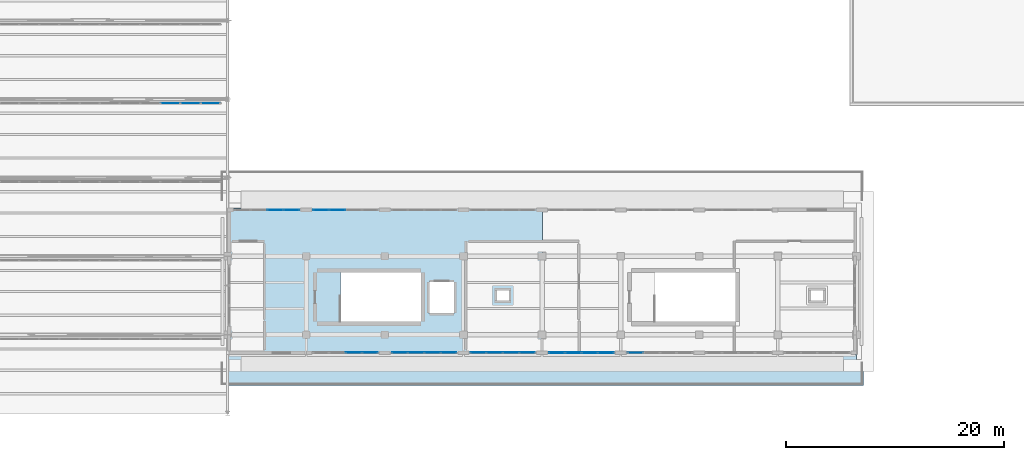
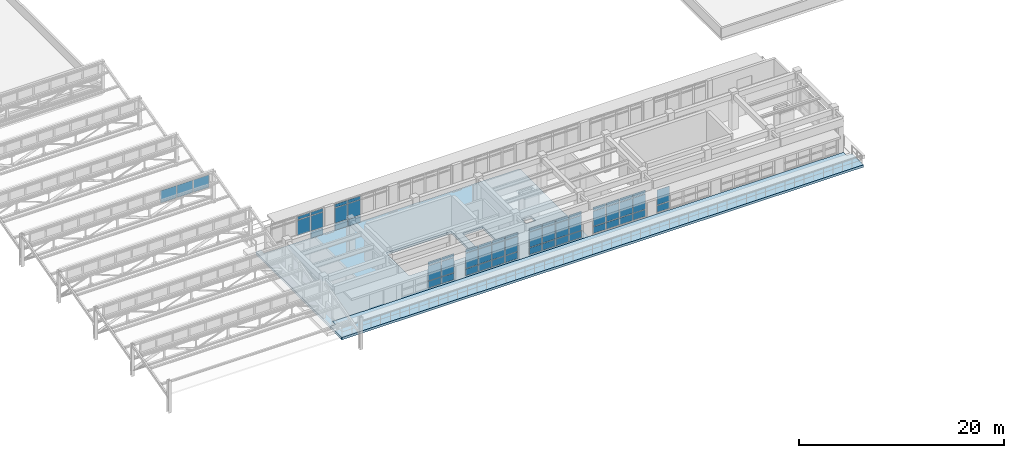
# One storey, part 34 of 55: 58 plates, 2 slabs, 8 elements without a shape of their own.
"""IFC4 building model written with IfcOpenShell, lengths in metres."""

from ifc_helpers import new_model, si_unit, direction, frame, origin, origin_2d, place, context, subcontext, project, spatial, polyline, rectangle, outline, extrude, material, layer, layer_set, type_object, element, aggregate, save


model = new_model("IFC4")

# Units and contexts
model_context = context("Model", 3, precision=1e-05, world=origin(), true_north=direction((0.0, 1.0)))
body_context = subcontext(model_context, "Body", "Model", "MODEL_VIEW")
ifc_project = project(units=[si_unit("LENGTHUNIT", "METRE"), si_unit("AREAUNIT", "SQUARE_METRE"), si_unit("VOLUMEUNIT", "CUBIC_METRE"), si_unit("PLANEANGLEUNIT", "RADIAN"), si_unit("MASSUNIT", "GRAM", prefix="KILO")], contexts=[model_context])

# Site, building, storey
site_placement = place(None, origin())
site = spatial("IfcSite", under=ifc_project, at=site_placement, CompositionType="ELEMENT")
building_placement = place(site_placement, origin())
building = spatial("IfcBuilding", under=site, at=building_placement, Name="Solenvale Faculty of Natural Sciences", CompositionType="ELEMENT")
storey_placement = place(building_placement, frame((0.0, 0.0, 22.5)))
storey = spatial("IfcBuildingStorey", under=building, at=storey_placement, Name="L05", CompositionType="ELEMENT", Elevation=22.5)

# Curtain wall, plates
ifc_material_1 = material(Name="Anodised bronze aluminium", Category="aluminium")
ifc_layer_1 = layer(ifc_material_1, 0.1650390625)
ifc_layer_set_1 = layer_set([ifc_layer_1], Name="Anodised bronze aluminium")
curtain_wall_type_1 = type_object("IfcCurtainWallType", Name="CW-SAW-CLR", PredefinedType="USERDEFINED", material=ifc_layer_set_1)
curtain_wall_1_placement = place(storey_placement, origin())
curtain_wall_1 = element("IfcCurtainWall", 1, at=curtain_wall_1_placement, inside=storey, type_object=curtain_wall_type_1, Name="L05 Curtain Wall SAW-V3-CW-4-1", ObjectType="NORTH LIGHT CLERESTORY", PredefinedType="USERDEFINED")
ifc_material_2 = material(Name="North-light skylight glass", Category="glass")
ifc_layer_2 = layer(ifc_material_2, 0.028076171875)
ifc_layer_set_2 = layer_set([ifc_layer_2], Name="North-light skylight glass")
plate_type_1 = type_object("IfcPlateType", Name="CWP-PNL-28", PredefinedType="CURTAIN_PANEL", material=ifc_layer_set_2)
plate_1_placement = place(storey_placement, frame((56.02001953125, 42.820068359375, 2.294921875), z_axis=(0.0, 0.0, 1.0), x_axis=(-1.0, 0.0, 0.0)))
plate_1 = element("IfcPlate", 2, at=plate_1_placement, type_object=plate_type_1, Name="CW-05 panel 1.1", PredefinedType="CURTAIN_PANEL", context=body_context, shape_type="SweptSolid", body=[
    extrude(rectangle(XDim=1.749755859375, YDim=0.028076171875, at=origin_2d()), origin(), (0.0, 0.0, 1.0), 1.47998046875),
])
plate_2_placement = place(storey_placement, frame((54.189208984375, 42.820068359375, 2.294921875), z_axis=(0.0, 0.0, 1.0), x_axis=(-1.0, 0.0, 0.0)))
plate_2 = element("IfcPlate", 3, at=plate_2_placement, type_object=plate_type_1, Name="CW-05 panel 2.1", PredefinedType="CURTAIN_PANEL", context=body_context, shape_type="SweptSolid", body=[
    extrude(rectangle(XDim=1.7822265625, YDim=0.028076171875, at=origin_2d()), origin(), (0.0, 0.0, 1.0), 1.47998046875),
])
plate_3_placement = place(storey_placement, frame((52.341796875, 42.820068359375, 2.294921875), z_axis=(0.0, 0.0, 1.0), x_axis=(-1.0, 0.0, 0.0)))
plate_3 = element("IfcPlate", 4, at=plate_3_placement, type_object=plate_type_1, Name="CW-05 panel 3.1", PredefinedType="CURTAIN_PANEL", context=body_context, shape_type="SweptSolid", body=[
    extrude(rectangle(XDim=1.7822265625, YDim=0.028076171875, at=origin_2d()), origin(), (0.0, 0.0, 1.0), 1.47998046875),
])
aggregate(curtain_wall_1, [plate_1, plate_2, plate_3])

ifc_layer_3 = layer(ifc_material_1, 0.18994140625)
ifc_layer_set_3 = layer_set([ifc_layer_3], Name="Anodised bronze aluminium")
curtain_wall_type_2 = type_object("IfcCurtainWallType", Name="CW-TRAY-REC", PredefinedType="USERDEFINED", material=ifc_layer_set_3)
curtain_wall_2_placement = place(storey_placement, origin())
curtain_wall_2 = element("IfcCurtainWall", 5, at=curtain_wall_2_placement, inside=storey, type_object=curtain_wall_type_2, Name="L05 Curtain Wall CW-L05-P1-E2-B8", ObjectType="UNITISED CURTAIN WALL", PredefinedType="USERDEFINED")
plate_4_placement = place(storey_placement, frame((63.4462890625, 33.03759765625, 0.074951171875), z_axis=(0.0, 0.0, 1.0), x_axis=(-1.0, 0.0, 0.0)))
plate_4 = element("IfcPlate", 6, at=plate_4_placement, type_object=plate_type_1, Name="CW-02 panel 1.1", PredefinedType="CURTAIN_PANEL", context=body_context, shape_type="SweptSolid", body=[
    extrude(rectangle(XDim=1.3974609375, YDim=0.028076171875, at=origin_2d()), origin(), (0.0, 0.0, 1.0), 0.78759765625),
])
plate_5_placement = place(storey_placement, frame((63.4462890625, 33.03759765625, 0.9375), z_axis=(0.0, 0.0, 1.0), x_axis=(-1.0, 0.0, 0.0)))
plate_5 = element("IfcPlate", 7, at=plate_5_placement, type_object=plate_type_1, Name="CW-02 panel 1.2", PredefinedType="CURTAIN_PANEL", context=body_context, shape_type="SweptSolid", body=[
    extrude(rectangle(XDim=1.3974609375, YDim=0.028076171875, at=origin_2d()), origin(), (0.0, 0.0, 1.0), 1.784912109375),
])
plate_6_placement = place(storey_placement, frame((63.4462890625, 33.03759765625, 2.79736328125), z_axis=(0.0, 0.0, 1.0), x_axis=(-1.0, 0.0, 0.0)))
plate_6 = element("IfcPlate", 8, at=plate_6_placement, type_object=plate_type_1, Name="CW-02 panel 1.3", PredefinedType="CURTAIN_PANEL", context=body_context, shape_type="SweptSolid", body=[
    extrude(rectangle(XDim=1.3974609375, YDim=0.028076171875, at=origin_2d()), origin(), (0.0, 0.0, 1.0), 0.387451171875),
])
plate_7_placement = place(storey_placement, frame((61.955078125, 33.03759765625, 0.9375), z_axis=(0.0, 0.0, 1.0), x_axis=(-1.0, 0.0, 0.0)))
plate_7 = element("IfcPlate", 9, at=plate_7_placement, type_object=plate_type_1, Name="CW-02 panel 2.2", PredefinedType="CURTAIN_PANEL", context=body_context, shape_type="SweptSolid", body=[
    extrude(rectangle(XDim=1.43505859375, YDim=0.028076171875, at=origin_2d()), origin(), (0.0, 0.0, 1.0), 1.784912109375),
])
plate_8_placement = place(storey_placement, frame((61.955078125, 33.03759765625, 2.79736328125), z_axis=(0.0, 0.0, 1.0), x_axis=(-1.0, 0.0, 0.0)))
plate_8 = element("IfcPlate", 10, at=plate_8_placement, type_object=plate_type_1, Name="CW-02 panel 2.3", PredefinedType="CURTAIN_PANEL", context=body_context, shape_type="SweptSolid", body=[
    extrude(rectangle(XDim=1.43505859375, YDim=0.028076171875, at=origin_2d()), origin(), (0.0, 0.0, 1.0), 0.387451171875),
])
aggregate(curtain_wall_2, [plate_4, plate_5, plate_6, plate_7, plate_8])

curtain_wall_3_placement = place(storey_placement, origin())
curtain_wall_3 = element("IfcCurtainWall", 11, at=curtain_wall_3_placement, inside=storey, type_object=curtain_wall_type_2, Name="L05 Curtain Wall CW-L05-P1-E4-B6", ObjectType="UNITISED CURTAIN WALL", PredefinedType="USERDEFINED")
plate_9_placement = place(storey_placement, frame((94.953857421875, 19.96240234375, 0.074951171875), z_axis=(0.0, 0.0, 1.0), x_axis=(1.0, 0.0, 0.0)))
plate_9 = element("IfcPlate", 12, at=plate_9_placement, type_object=plate_type_1, Name="CW-02 panel 1.1", PredefinedType="CURTAIN_PANEL", context=body_context, shape_type="SweptSolid", body=[
    extrude(rectangle(XDim=1.3974609375, YDim=0.028076171875, at=origin_2d()), origin(), (0.0, 0.0, 1.0), 0.78759765625),
])
plate_10_placement = place(storey_placement, frame((94.953857421875, 19.96240234375, 0.9375), z_axis=(0.0, 0.0, 1.0), x_axis=(1.0, 0.0, 0.0)))
plate_10 = element("IfcPlate", 13, at=plate_10_placement, type_object=plate_type_1, Name="CW-02 panel 1.2", PredefinedType="CURTAIN_PANEL", context=body_context, shape_type="SweptSolid", body=[
    extrude(rectangle(XDim=1.3974609375, YDim=0.028076171875, at=origin_2d()), origin(), (0.0, 0.0, 1.0), 1.784912109375),
])
aggregate(curtain_wall_3, [plate_9, plate_10])

curtain_wall_4_placement = place(storey_placement, origin())
curtain_wall_4 = element("IfcCurtainWall", 14, at=curtain_wall_4_placement, inside=storey, type_object=curtain_wall_type_2, Name="L05 Curtain Wall CW-L05-P1-E4-B2", ObjectType="UNITISED CURTAIN WALL", PredefinedType="USERDEFINED")
ifc_material_3 = material(Name="Triple low-E insulated glass", Category="glass")
ifc_layer_4 = layer(ifc_material_3, 0.0439453125)
ifc_layer_set_4 = layer_set([ifc_layer_4], Name="Triple low-E insulated glass")
plate_type_2 = type_object("IfcPlateType", Name="CWP-PNL-44", PredefinedType="CURTAIN_PANEL", material=ifc_layer_set_4)
plate_11_placement = place(storey_placement, frame((69.155029296875, 19.96240234375, 0.074951171875), z_axis=(0.0, 0.0, 1.0), x_axis=(1.0, 0.0, 0.0)))
plate_11 = element("IfcPlate", 15, at=plate_11_placement, type_object=plate_type_2, Name="CW-02 panel 3.1", PredefinedType="CURTAIN_PANEL", context=body_context, shape_type="SweptSolid", body=[
    extrude(rectangle(XDim=1.43505859375, YDim=0.0439453125, at=origin_2d()), origin(), (0.0, 0.0, 1.0), 0.78759765625),
])
plate_12_placement = place(storey_placement, frame((69.155029296875, 19.96240234375, 0.9375), z_axis=(0.0, 0.0, 1.0), x_axis=(1.0, 0.0, 0.0)))
plate_12 = element("IfcPlate", 16, at=plate_12_placement, type_object=plate_type_2, Name="CW-02 panel 3.2", PredefinedType="CURTAIN_PANEL", context=body_context, shape_type="SweptSolid", body=[
    extrude(rectangle(XDim=1.43505859375, YDim=0.0439453125, at=origin_2d()), origin(), (0.0, 0.0, 1.0), 1.784912109375),
])
plate_13_placement = place(storey_placement, frame((69.155029296875, 19.96240234375, 2.79736328125), z_axis=(0.0, 0.0, 1.0), x_axis=(1.0, 0.0, 0.0)))
plate_13 = element("IfcPlate", 17, at=plate_13_placement, type_object=plate_type_2, Name="CW-02 panel 3.3", PredefinedType="CURTAIN_PANEL", context=body_context, shape_type="SweptSolid", body=[
    extrude(rectangle(XDim=1.43505859375, YDim=0.0439453125, at=origin_2d()), origin(), (0.0, 0.0, 1.0), 0.387451171875),
])
plate_14_placement = place(storey_placement, frame((70.646240234375, 19.96240234375, 0.074951171875), z_axis=(0.0, 0.0, 1.0), x_axis=(1.0, 0.0, 0.0)))
plate_14 = element("IfcPlate", 18, at=plate_14_placement, type_object=plate_type_2, Name="CW-02 panel 4.1", PredefinedType="CURTAIN_PANEL", context=body_context, shape_type="SweptSolid", body=[
    extrude(rectangle(XDim=1.3974609375, YDim=0.0439453125, at=origin_2d()), origin(), (0.0, 0.0, 1.0), 0.78759765625),
])
plate_15_placement = place(storey_placement, frame((70.646240234375, 19.96240234375, 0.9375), z_axis=(0.0, 0.0, 1.0), x_axis=(1.0, 0.0, 0.0)))
plate_15 = element("IfcPlate", 19, at=plate_15_placement, type_object=plate_type_2, Name="CW-02 panel 4.2", PredefinedType="CURTAIN_PANEL", context=body_context, shape_type="SweptSolid", body=[
    extrude(rectangle(XDim=1.3974609375, YDim=0.0439453125, at=origin_2d()), origin(), (0.0, 0.0, 1.0), 1.784912109375),
])
plate_16_placement = place(storey_placement, frame((70.646240234375, 19.96240234375, 2.79736328125), z_axis=(0.0, 0.0, 1.0), x_axis=(1.0, 0.0, 0.0)))
plate_16 = element("IfcPlate", 20, at=plate_16_placement, type_object=plate_type_2, Name="CW-02 panel 4.3", PredefinedType="CURTAIN_PANEL", context=body_context, shape_type="SweptSolid", body=[
    extrude(rectangle(XDim=1.3974609375, YDim=0.0439453125, at=origin_2d()), origin(), (0.0, 0.0, 1.0), 0.387451171875),
])
aggregate(curtain_wall_4, [plate_11, plate_12, plate_13, plate_14, plate_15, plate_16])

curtain_wall_5_placement = place(storey_placement, origin())
curtain_wall_5 = element("IfcCurtainWall", 21, at=curtain_wall_5_placement, inside=storey, type_object=curtain_wall_type_2, Name="L05 Curtain Wall CW-L05-P1-E4-B3", ObjectType="UNITISED CURTAIN WALL", PredefinedType="USERDEFINED")
ifc_layer_5 = layer(ifc_material_1, 0.048095703125)
ifc_layer_set_5 = layer_set([ifc_layer_5], Name="Anodised bronze aluminium")
plate_type_3 = type_object("IfcPlateType", Name="CWP-PNL-48", PredefinedType="CURTAIN_PANEL", material=ifc_layer_set_5)
plate_17_placement = place(storey_placement, frame((73.353759765625, 19.96240234375, 0.074951171875), z_axis=(0.0, 0.0, 1.0), x_axis=(1.0, 0.0, 0.0)))
plate_17 = element("IfcPlate", 22, at=plate_17_placement, type_object=plate_type_3, Name="CW-02 panel 1.1", PredefinedType="CURTAIN_PANEL", context=body_context, shape_type="SweptSolid", body=[
    extrude(rectangle(XDim=1.3974609375, YDim=0.048095703125, at=origin_2d()), origin(), (0.0, 0.0, 1.0), 0.78759765625),
])
plate_18_placement = place(storey_placement, frame((73.353759765625, 19.96240234375, 0.9375), z_axis=(0.0, 0.0, 1.0), x_axis=(1.0, 0.0, 0.0)))
plate_18 = element("IfcPlate", 23, at=plate_18_placement, type_object=plate_type_3, Name="CW-02 panel 1.2", PredefinedType="CURTAIN_PANEL", context=body_context, shape_type="SweptSolid", body=[
    extrude(rectangle(XDim=1.3974609375, YDim=0.048095703125, at=origin_2d()), origin(), (0.0, 0.0, 1.0), 1.784912109375),
])
plate_19_placement = place(storey_placement, frame((73.353759765625, 19.96240234375, 2.79736328125), z_axis=(0.0, 0.0, 1.0), x_axis=(1.0, 0.0, 0.0)))
plate_19 = element("IfcPlate", 24, at=plate_19_placement, type_object=plate_type_3, Name="CW-02 panel 1.3", PredefinedType="CURTAIN_PANEL", context=body_context, shape_type="SweptSolid", body=[
    extrude(rectangle(XDim=1.3974609375, YDim=0.048095703125, at=origin_2d()), origin(), (0.0, 0.0, 1.0), 0.387451171875),
])
plate_20_placement = place(storey_placement, frame((74.844970703125, 19.96240234375, 0.074951171875), z_axis=(0.0, 0.0, 1.0), x_axis=(1.0, 0.0, 0.0)))
plate_20 = element("IfcPlate", 25, at=plate_20_placement, type_object=plate_type_3, Name="CW-02 panel 2.1", PredefinedType="CURTAIN_PANEL", context=body_context, shape_type="SweptSolid", body=[
    extrude(rectangle(XDim=1.43505859375, YDim=0.048095703125, at=origin_2d()), origin(), (0.0, 0.0, 1.0), 0.78759765625),
])
plate_21_placement = place(storey_placement, frame((74.844970703125, 19.96240234375, 0.9375), z_axis=(0.0, 0.0, 1.0), x_axis=(1.0, 0.0, 0.0)))
plate_21 = element("IfcPlate", 26, at=plate_21_placement, type_object=plate_type_3, Name="CW-02 panel 2.2", PredefinedType="CURTAIN_PANEL", context=body_context, shape_type="SweptSolid", body=[
    extrude(rectangle(XDim=1.43505859375, YDim=0.048095703125, at=origin_2d()), origin(), (0.0, 0.0, 1.0), 1.784912109375),
])
plate_22_placement = place(storey_placement, frame((74.844970703125, 19.96240234375, 2.79736328125), z_axis=(0.0, 0.0, 1.0), x_axis=(1.0, 0.0, 0.0)))
plate_22 = element("IfcPlate", 27, at=plate_22_placement, type_object=plate_type_3, Name="CW-02 panel 2.3", PredefinedType="CURTAIN_PANEL", context=body_context, shape_type="SweptSolid", body=[
    extrude(rectangle(XDim=1.43505859375, YDim=0.048095703125, at=origin_2d()), origin(), (0.0, 0.0, 1.0), 0.387451171875),
])
plate_23_placement = place(storey_placement, frame((76.35498046875, 19.96240234375, 0.074951171875), z_axis=(0.0, 0.0, 1.0), x_axis=(1.0, 0.0, 0.0)))
plate_23 = element("IfcPlate", 28, at=plate_23_placement, type_object=plate_type_3, Name="CW-02 panel 3.1", PredefinedType="CURTAIN_PANEL", context=body_context, shape_type="SweptSolid", body=[
    extrude(rectangle(XDim=1.43505859375, YDim=0.048095703125, at=origin_2d()), origin(), (0.0, 0.0, 1.0), 0.78759765625),
])
plate_24_placement = place(storey_placement, frame((76.35498046875, 19.96240234375, 0.9375), z_axis=(0.0, 0.0, 1.0), x_axis=(1.0, 0.0, 0.0)))
plate_24 = element("IfcPlate", 29, at=plate_24_placement, type_object=plate_type_3, Name="CW-02 panel 3.2", PredefinedType="CURTAIN_PANEL", context=body_context, shape_type="SweptSolid", body=[
    extrude(rectangle(XDim=1.43505859375, YDim=0.048095703125, at=origin_2d()), origin(), (0.0, 0.0, 1.0), 1.784912109375),
])
plate_25_placement = place(storey_placement, frame((76.35498046875, 19.96240234375, 2.79736328125), z_axis=(0.0, 0.0, 1.0), x_axis=(1.0, 0.0, 0.0)))
plate_25 = element("IfcPlate", 30, at=plate_25_placement, type_object=plate_type_3, Name="CW-02 panel 3.3", PredefinedType="CURTAIN_PANEL", context=body_context, shape_type="SweptSolid", body=[
    extrude(rectangle(XDim=1.43505859375, YDim=0.048095703125, at=origin_2d()), origin(), (0.0, 0.0, 1.0), 0.387451171875),
])
plate_26_placement = place(storey_placement, frame((77.84619140625, 19.96240234375, 0.074951171875), z_axis=(0.0, 0.0, 1.0), x_axis=(1.0, 0.0, 0.0)))
plate_26 = element("IfcPlate", 31, at=plate_26_placement, type_object=plate_type_3, Name="CW-02 panel 4.1", PredefinedType="CURTAIN_PANEL", context=body_context, shape_type="SweptSolid", body=[
    extrude(rectangle(XDim=1.3974609375, YDim=0.048095703125, at=origin_2d()), origin(), (0.0, 0.0, 1.0), 0.78759765625),
])
plate_27_placement = place(storey_placement, frame((77.84619140625, 19.96240234375, 0.9375), z_axis=(0.0, 0.0, 1.0), x_axis=(1.0, 0.0, 0.0)))
plate_27 = element("IfcPlate", 32, at=plate_27_placement, type_object=plate_type_3, Name="CW-02 panel 4.2", PredefinedType="CURTAIN_PANEL", context=body_context, shape_type="SweptSolid", body=[
    extrude(rectangle(XDim=1.3974609375, YDim=0.048095703125, at=origin_2d()), origin(), (0.0, 0.0, 1.0), 1.784912109375),
])
plate_28_placement = place(storey_placement, frame((77.84619140625, 19.96240234375, 2.79736328125), z_axis=(0.0, 0.0, 1.0), x_axis=(1.0, 0.0, 0.0)))
plate_28 = element("IfcPlate", 33, at=plate_28_placement, type_object=plate_type_3, Name="CW-02 panel 4.3", PredefinedType="CURTAIN_PANEL", context=body_context, shape_type="SweptSolid", body=[
    extrude(rectangle(XDim=1.3974609375, YDim=0.048095703125, at=origin_2d()), origin(), (0.0, 0.0, 1.0), 0.387451171875),
])
aggregate(curtain_wall_5, [plate_17, plate_18, plate_19, plate_20, plate_21, plate_22, plate_23, plate_24, plate_25, plate_26, plate_27, plate_28])

curtain_wall_6_placement = place(storey_placement, origin())
curtain_wall_6 = element("IfcCurtainWall", 34, at=curtain_wall_6_placement, inside=storey, type_object=curtain_wall_type_2, Name="L05 Curtain Wall CW-L05-P1-E4-B4", ObjectType="UNITISED CURTAIN WALL", PredefinedType="USERDEFINED")
ifc_layer_6 = layer(ifc_material_1, 0.053955078125)
ifc_layer_set_6 = layer_set([ifc_layer_6], Name="Anodised bronze aluminium")
plate_type_4 = type_object("IfcPlateType", Name="CWP-PNL-54", PredefinedType="CURTAIN_PANEL", material=ifc_layer_set_6)
plate_29_placement = place(storey_placement, frame((80.5537109375, 19.96240234375, 0.074951171875), z_axis=(0.0, 0.0, 1.0), x_axis=(1.0, 0.0, 0.0)))
plate_29 = element("IfcPlate", 35, at=plate_29_placement, type_object=plate_type_4, Name="CW-02 panel 1.1", PredefinedType="CURTAIN_PANEL", context=body_context, shape_type="SweptSolid", body=[
    extrude(rectangle(XDim=1.3974609375, YDim=0.053955078125, at=origin_2d()), origin(), (0.0, 0.0, 1.0), 0.78759765625),
])
plate_30_placement = place(storey_placement, frame((80.5537109375, 19.96240234375, 0.9375), z_axis=(0.0, 0.0, 1.0), x_axis=(1.0, 0.0, 0.0)))
plate_30 = element("IfcPlate", 36, at=plate_30_placement, type_object=plate_type_4, Name="CW-02 panel 1.2", PredefinedType="CURTAIN_PANEL", context=body_context, shape_type="SweptSolid", body=[
    extrude(rectangle(XDim=1.3974609375, YDim=0.053955078125, at=origin_2d()), origin(), (0.0, 0.0, 1.0), 1.784912109375),
])
plate_31_placement = place(storey_placement, frame((80.5537109375, 19.96240234375, 2.79736328125), z_axis=(0.0, 0.0, 1.0), x_axis=(1.0, 0.0, 0.0)))
plate_31 = element("IfcPlate", 37, at=plate_31_placement, type_object=plate_type_4, Name="CW-02 panel 1.3", PredefinedType="CURTAIN_PANEL", context=body_context, shape_type="SweptSolid", body=[
    extrude(rectangle(XDim=1.3974609375, YDim=0.053955078125, at=origin_2d()), origin(), (0.0, 0.0, 1.0), 0.387451171875),
])
plate_32_placement = place(storey_placement, frame((82.044921875, 19.96240234375, 0.074951171875), z_axis=(0.0, 0.0, 1.0), x_axis=(1.0, 0.0, 0.0)))
plate_32 = element("IfcPlate", 38, at=plate_32_placement, type_object=plate_type_4, Name="CW-02 panel 2.1", PredefinedType="CURTAIN_PANEL", context=body_context, shape_type="SweptSolid", body=[
    extrude(rectangle(XDim=1.43505859375, YDim=0.053955078125, at=origin_2d()), origin(), (0.0, 0.0, 1.0), 0.78759765625),
])
plate_33_placement = place(storey_placement, frame((82.044921875, 19.96240234375, 0.9375), z_axis=(0.0, 0.0, 1.0), x_axis=(1.0, 0.0, 0.0)))
plate_33 = element("IfcPlate", 39, at=plate_33_placement, type_object=plate_type_4, Name="CW-02 panel 2.2", PredefinedType="CURTAIN_PANEL", context=body_context, shape_type="SweptSolid", body=[
    extrude(rectangle(XDim=1.43505859375, YDim=0.053955078125, at=origin_2d()), origin(), (0.0, 0.0, 1.0), 1.784912109375),
])
plate_34_placement = place(storey_placement, frame((82.044921875, 19.96240234375, 2.79736328125), z_axis=(0.0, 0.0, 1.0), x_axis=(1.0, 0.0, 0.0)))
plate_34 = element("IfcPlate", 40, at=plate_34_placement, type_object=plate_type_4, Name="CW-02 panel 2.3", PredefinedType="CURTAIN_PANEL", context=body_context, shape_type="SweptSolid", body=[
    extrude(rectangle(XDim=1.43505859375, YDim=0.053955078125, at=origin_2d()), origin(), (0.0, 0.0, 1.0), 0.387451171875),
])
plate_35_placement = place(storey_placement, frame((83.554931640625, 19.96240234375, 0.074951171875), z_axis=(0.0, 0.0, 1.0), x_axis=(1.0, 0.0, 0.0)))
plate_35 = element("IfcPlate", 41, at=plate_35_placement, type_object=plate_type_4, Name="CW-02 panel 3.1", PredefinedType="CURTAIN_PANEL", context=body_context, shape_type="SweptSolid", body=[
    extrude(rectangle(XDim=1.43505859375, YDim=0.053955078125, at=origin_2d()), origin(), (0.0, 0.0, 1.0), 0.78759765625),
])
plate_36_placement = place(storey_placement, frame((83.554931640625, 19.96240234375, 0.9375), z_axis=(0.0, 0.0, 1.0), x_axis=(1.0, 0.0, 0.0)))
plate_36 = element("IfcPlate", 42, at=plate_36_placement, type_object=plate_type_4, Name="CW-02 panel 3.2", PredefinedType="CURTAIN_PANEL", context=body_context, shape_type="SweptSolid", body=[
    extrude(rectangle(XDim=1.43505859375, YDim=0.053955078125, at=origin_2d()), origin(), (0.0, 0.0, 1.0), 1.784912109375),
])
plate_37_placement = place(storey_placement, frame((83.554931640625, 19.96240234375, 2.79736328125), z_axis=(0.0, 0.0, 1.0), x_axis=(1.0, 0.0, 0.0)))
plate_37 = element("IfcPlate", 43, at=plate_37_placement, type_object=plate_type_4, Name="CW-02 panel 3.3", PredefinedType="CURTAIN_PANEL", context=body_context, shape_type="SweptSolid", body=[
    extrude(rectangle(XDim=1.43505859375, YDim=0.053955078125, at=origin_2d()), origin(), (0.0, 0.0, 1.0), 0.387451171875),
])
plate_38_placement = place(storey_placement, frame((85.046142578125, 19.96240234375, 0.074951171875), z_axis=(0.0, 0.0, 1.0), x_axis=(1.0, 0.0, 0.0)))
plate_38 = element("IfcPlate", 44, at=plate_38_placement, type_object=plate_type_4, Name="CW-02 panel 4.1", PredefinedType="CURTAIN_PANEL", context=body_context, shape_type="SweptSolid", body=[
    extrude(rectangle(XDim=1.3974609375, YDim=0.053955078125, at=origin_2d()), origin(), (0.0, 0.0, 1.0), 0.78759765625),
])
plate_39_placement = place(storey_placement, frame((85.046142578125, 19.96240234375, 0.9375), z_axis=(0.0, 0.0, 1.0), x_axis=(1.0, 0.0, 0.0)))
plate_39 = element("IfcPlate", 45, at=plate_39_placement, type_object=plate_type_4, Name="CW-02 panel 4.2", PredefinedType="CURTAIN_PANEL", context=body_context, shape_type="SweptSolid", body=[
    extrude(rectangle(XDim=1.3974609375, YDim=0.053955078125, at=origin_2d()), origin(), (0.0, 0.0, 1.0), 1.784912109375),
])
plate_40_placement = place(storey_placement, frame((85.046142578125, 19.96240234375, 2.79736328125), z_axis=(0.0, 0.0, 1.0), x_axis=(1.0, 0.0, 0.0)))
plate_40 = element("IfcPlate", 46, at=plate_40_placement, type_object=plate_type_4, Name="CW-02 panel 4.3", PredefinedType="CURTAIN_PANEL", context=body_context, shape_type="SweptSolid", body=[
    extrude(rectangle(XDim=1.3974609375, YDim=0.053955078125, at=origin_2d()), origin(), (0.0, 0.0, 1.0), 0.387451171875),
])
aggregate(curtain_wall_6, [plate_29, plate_30, plate_31, plate_32, plate_33, plate_34, plate_35, plate_36, plate_37, plate_38, plate_39, plate_40])

curtain_wall_7_placement = place(storey_placement, origin())
curtain_wall_7 = element("IfcCurtainWall", 47, at=curtain_wall_7_placement, inside=storey, type_object=curtain_wall_type_2, Name="L05 Curtain Wall CW-L05-P1-E2-B7", ObjectType="UNITISED CURTAIN WALL", PredefinedType="USERDEFINED")
ifc_layer_7 = layer(ifc_material_1, 0.06005859375)
ifc_layer_set_7 = layer_set([ifc_layer_7], Name="Anodised bronze aluminium")
plate_type_5 = type_object("IfcPlateType", Name="CWP-PNL-60", PredefinedType="CURTAIN_PANEL", material=ifc_layer_set_7)
plate_41_placement = place(storey_placement, frame((67.64501953125, 33.03759765625, 0.074951171875), z_axis=(0.0, 0.0, 1.0), x_axis=(-1.0, 0.0, 0.0)))
plate_41 = element("IfcPlate", 48, at=plate_41_placement, type_object=plate_type_5, Name="CW-02 panel 3.1", PredefinedType="CURTAIN_PANEL", context=body_context, shape_type="SweptSolid", body=[
    extrude(rectangle(XDim=1.43505859375, YDim=0.06005859375, at=origin_2d()), origin(), (0.0, 0.0, 1.0), 0.78759765625),
])
plate_42_placement = place(storey_placement, frame((67.64501953125, 33.03759765625, 0.9375), z_axis=(0.0, 0.0, 1.0), x_axis=(-1.0, 0.0, 0.0)))
plate_42 = element("IfcPlate", 49, at=plate_42_placement, type_object=plate_type_5, Name="CW-02 panel 3.2", PredefinedType="CURTAIN_PANEL", context=body_context, shape_type="SweptSolid", body=[
    extrude(rectangle(XDim=1.43505859375, YDim=0.06005859375, at=origin_2d()), origin(), (0.0, 0.0, 1.0), 1.784912109375),
])
plate_43_placement = place(storey_placement, frame((67.64501953125, 33.03759765625, 2.79736328125), z_axis=(0.0, 0.0, 1.0), x_axis=(-1.0, 0.0, 0.0)))
plate_43 = element("IfcPlate", 50, at=plate_43_placement, type_object=plate_type_5, Name="CW-02 panel 3.3", PredefinedType="CURTAIN_PANEL", context=body_context, shape_type="SweptSolid", body=[
    extrude(rectangle(XDim=1.43505859375, YDim=0.06005859375, at=origin_2d()), origin(), (0.0, 0.0, 1.0), 0.387451171875),
])
plate_44_placement = place(storey_placement, frame((66.15380859375, 33.03759765625, 0.074951171875), z_axis=(0.0, 0.0, 1.0), x_axis=(-1.0, 0.0, 0.0)))
plate_44 = element("IfcPlate", 51, at=plate_44_placement, type_object=plate_type_5, Name="CW-02 panel 4.1", PredefinedType="CURTAIN_PANEL", context=body_context, shape_type="SweptSolid", body=[
    extrude(rectangle(XDim=1.3974609375, YDim=0.06005859375, at=origin_2d()), origin(), (0.0, 0.0, 1.0), 0.78759765625),
])
plate_45_placement = place(storey_placement, frame((66.15380859375, 33.03759765625, 0.9375), z_axis=(0.0, 0.0, 1.0), x_axis=(-1.0, 0.0, 0.0)))
plate_45 = element("IfcPlate", 52, at=plate_45_placement, type_object=plate_type_5, Name="CW-02 panel 4.2", PredefinedType="CURTAIN_PANEL", context=body_context, shape_type="SweptSolid", body=[
    extrude(rectangle(XDim=1.3974609375, YDim=0.06005859375, at=origin_2d()), origin(), (0.0, 0.0, 1.0), 1.784912109375),
])
plate_46_placement = place(storey_placement, frame((66.15380859375, 33.03759765625, 2.79736328125), z_axis=(0.0, 0.0, 1.0), x_axis=(-1.0, 0.0, 0.0)))
plate_46 = element("IfcPlate", 53, at=plate_46_placement, type_object=plate_type_5, Name="CW-02 panel 4.3", PredefinedType="CURTAIN_PANEL", context=body_context, shape_type="SweptSolid", body=[
    extrude(rectangle(XDim=1.3974609375, YDim=0.06005859375, at=origin_2d()), origin(), (0.0, 0.0, 1.0), 0.387451171875),
])
aggregate(curtain_wall_7, [plate_41, plate_42, plate_43, plate_44, plate_45, plate_46])

curtain_wall_8_placement = place(storey_placement, origin())
curtain_wall_8 = element("IfcCurtainWall", 54, at=curtain_wall_8_placement, inside=storey, type_object=curtain_wall_type_2, Name="L05 Curtain Wall CW-L05-P1-E4-B5", ObjectType="UNITISED CURTAIN WALL", PredefinedType="USERDEFINED")
plate_47_placement = place(storey_placement, frame((87.753662109375, 19.96240234375, 0.074951171875), z_axis=(0.0, 0.0, 1.0), x_axis=(1.0, 0.0, 0.0)))
plate_47 = element("IfcPlate", 55, at=plate_47_placement, type_object=plate_type_5, Name="CW-02 panel 1.1", PredefinedType="CURTAIN_PANEL", context=body_context, shape_type="SweptSolid", body=[
    extrude(rectangle(XDim=1.3974609375, YDim=0.06005859375, at=origin_2d()), origin(), (0.0, 0.0, 1.0), 0.78759765625),
])
plate_48_placement = place(storey_placement, frame((87.753662109375, 19.96240234375, 0.9375), z_axis=(0.0, 0.0, 1.0), x_axis=(1.0, 0.0, 0.0)))
plate_48 = element("IfcPlate", 56, at=plate_48_placement, type_object=plate_type_5, Name="CW-02 panel 1.2", PredefinedType="CURTAIN_PANEL", context=body_context, shape_type="SweptSolid", body=[
    extrude(rectangle(XDim=1.3974609375, YDim=0.06005859375, at=origin_2d()), origin(), (0.0, 0.0, 1.0), 1.784912109375),
])
plate_49_placement = place(storey_placement, frame((87.753662109375, 19.96240234375, 2.79736328125), z_axis=(0.0, 0.0, 1.0), x_axis=(1.0, 0.0, 0.0)))
plate_49 = element("IfcPlate", 57, at=plate_49_placement, type_object=plate_type_5, Name="CW-02 panel 1.3", PredefinedType="CURTAIN_PANEL", context=body_context, shape_type="SweptSolid", body=[
    extrude(rectangle(XDim=1.3974609375, YDim=0.06005859375, at=origin_2d()), origin(), (0.0, 0.0, 1.0), 0.387451171875),
])
plate_50_placement = place(storey_placement, frame((89.2451171875, 19.96240234375, 0.074951171875), z_axis=(0.0, 0.0, 1.0), x_axis=(1.0, 0.0, 0.0)))
plate_50 = element("IfcPlate", 58, at=plate_50_placement, type_object=plate_type_5, Name="CW-02 panel 2.1", PredefinedType="CURTAIN_PANEL", context=body_context, shape_type="SweptSolid", body=[
    extrude(rectangle(XDim=1.43505859375, YDim=0.06005859375, at=origin_2d()), origin(), (0.0, 0.0, 1.0), 0.78759765625),
])
plate_51_placement = place(storey_placement, frame((89.2451171875, 19.96240234375, 0.9375), z_axis=(0.0, 0.0, 1.0), x_axis=(1.0, 0.0, 0.0)))
plate_51 = element("IfcPlate", 59, at=plate_51_placement, type_object=plate_type_5, Name="CW-02 panel 2.2", PredefinedType="CURTAIN_PANEL", context=body_context, shape_type="SweptSolid", body=[
    extrude(rectangle(XDim=1.43505859375, YDim=0.06005859375, at=origin_2d()), origin(), (0.0, 0.0, 1.0), 1.784912109375),
])
plate_52_placement = place(storey_placement, frame((89.2451171875, 19.96240234375, 2.79736328125), z_axis=(0.0, 0.0, 1.0), x_axis=(1.0, 0.0, 0.0)))
plate_52 = element("IfcPlate", 60, at=plate_52_placement, type_object=plate_type_5, Name="CW-02 panel 2.3", PredefinedType="CURTAIN_PANEL", context=body_context, shape_type="SweptSolid", body=[
    extrude(rectangle(XDim=1.43505859375, YDim=0.06005859375, at=origin_2d()), origin(), (0.0, 0.0, 1.0), 0.387451171875),
])
plate_53_placement = place(storey_placement, frame((90.7548828125, 19.96240234375, 0.074951171875), z_axis=(0.0, 0.0, 1.0), x_axis=(1.0, 0.0, 0.0)))
plate_53 = element("IfcPlate", 61, at=plate_53_placement, type_object=plate_type_5, Name="CW-02 panel 3.1", PredefinedType="CURTAIN_PANEL", context=body_context, shape_type="SweptSolid", body=[
    extrude(rectangle(XDim=1.43505859375, YDim=0.06005859375, at=origin_2d()), origin(), (0.0, 0.0, 1.0), 0.78759765625),
])
plate_54_placement = place(storey_placement, frame((90.7548828125, 19.96240234375, 0.9375), z_axis=(0.0, 0.0, 1.0), x_axis=(1.0, 0.0, 0.0)))
plate_54 = element("IfcPlate", 62, at=plate_54_placement, type_object=plate_type_5, Name="CW-02 panel 3.2", PredefinedType="CURTAIN_PANEL", context=body_context, shape_type="SweptSolid", body=[
    extrude(rectangle(XDim=1.43505859375, YDim=0.06005859375, at=origin_2d()), origin(), (0.0, 0.0, 1.0), 1.784912109375),
])
plate_55_placement = place(storey_placement, frame((90.7548828125, 19.96240234375, 2.79736328125), z_axis=(0.0, 0.0, 1.0), x_axis=(1.0, 0.0, 0.0)))
plate_55 = element("IfcPlate", 63, at=plate_55_placement, type_object=plate_type_5, Name="CW-02 panel 3.3", PredefinedType="CURTAIN_PANEL", context=body_context, shape_type="SweptSolid", body=[
    extrude(rectangle(XDim=1.43505859375, YDim=0.06005859375, at=origin_2d()), origin(), (0.0, 0.0, 1.0), 0.387451171875),
])
plate_56_placement = place(storey_placement, frame((92.246337890625, 19.96240234375, 0.074951171875), z_axis=(0.0, 0.0, 1.0), x_axis=(1.0, 0.0, 0.0)))
plate_56 = element("IfcPlate", 64, at=plate_56_placement, type_object=plate_type_5, Name="CW-02 panel 4.1", PredefinedType="CURTAIN_PANEL", context=body_context, shape_type="SweptSolid", body=[
    extrude(rectangle(XDim=1.3974609375, YDim=0.06005859375, at=origin_2d()), origin(), (0.0, 0.0, 1.0), 0.78759765625),
])
plate_57_placement = place(storey_placement, frame((92.246337890625, 19.96240234375, 0.9375), z_axis=(0.0, 0.0, 1.0), x_axis=(1.0, 0.0, 0.0)))
plate_57 = element("IfcPlate", 65, at=plate_57_placement, type_object=plate_type_5, Name="CW-02 panel 4.2", PredefinedType="CURTAIN_PANEL", context=body_context, shape_type="SweptSolid", body=[
    extrude(rectangle(XDim=1.3974609375, YDim=0.06005859375, at=origin_2d()), origin(), (0.0, 0.0, 1.0), 1.784912109375),
])
plate_58_placement = place(storey_placement, frame((92.246337890625, 19.96240234375, 2.79736328125), z_axis=(0.0, 0.0, 1.0), x_axis=(1.0, 0.0, 0.0)))
plate_58 = element("IfcPlate", 66, at=plate_58_placement, type_object=plate_type_5, Name="CW-02 panel 4.3", PredefinedType="CURTAIN_PANEL", context=body_context, shape_type="SweptSolid", body=[
    extrude(rectangle(XDim=1.3974609375, YDim=0.06005859375, at=origin_2d()), origin(), (0.0, 0.0, 1.0), 0.387451171875),
])
aggregate(curtain_wall_8, [plate_47, plate_48, plate_49, plate_50, plate_51, plate_52, plate_53, plate_54, plate_55, plate_56, plate_57, plate_58])

# Slabs
ifc_material_4 = material(Name="Precast terrace paving concrete 35 MPa", Category="concrete")
ifc_layer_8 = layer(ifc_material_4, 0.280029296875)
ifc_layer_set_8 = layer_set([ifc_layer_8], Name="Precast terrace paving concrete 35 MPa")
slab_type_1 = type_object("IfcSlabType", Name="SL-TERR-280", PredefinedType="FLOOR", material=ifc_layer_set_8)
slab_1_placement = place(storey_placement, frame((0.0, 0.0, -0.280029296875)))
element("IfcSlab", 67, at=slab_1_placement, inside=storey, type_object=slab_type_1, Name="L05 South Overhang Terrace L05", PredefinedType="FLOOR", context=body_context, shape_type="SweptSolid", body=[
    extrude(outline(polyline([(56.9599609375, 19.159912109375), (56.9658203125, 19.174072265625), (56.97998046875, 19.179931640625), (57.580078125, 19.179931640625), (57.580078125, 19.780029296875), (57.5859375, 19.794189453125), (57.60009765625, 19.800048828125), (115.199951171875, 19.800048828125), (115.214111328125, 19.794189453125), (115.219970703125, 19.780029296875), (115.219970703125, 19.179931640625), (115.820068359375, 19.179931640625), (115.839599609375, 19.163818359375), (115.840087890625, 16.97998046875), (115.833984375, 16.9658203125), (115.820068359375, 16.9599609375), (56.97998046875, 16.9599609375), (56.9658203125, 16.9658203125), (56.9599609375, 16.97998046875), (56.9599609375, 19.159912109375)])), origin(), (0.0, 0.0, 1.0), 0.280029296875),
])
ifc_material_5 = material(Name="Architectural bronze concrete 40 MPa", Category="concrete")
ifc_layer_9 = layer(ifc_material_5, 0.280029296875)
ifc_layer_set_9 = layer_set([ifc_layer_9], Name="Architectural bronze concrete 40 MPa")
slab_type_2 = type_object("IfcSlabType", Name="SL-TRAY-280", PredefinedType="FLOOR", material=ifc_layer_set_9)
slab_2_placement = place(storey_placement, frame((0.0, 0.0, -0.280029296875)))
element("IfcSlab", 68, at=slab_2_placement, inside=storey, type_object=slab_type_2, Name="L05 V4 Floor Slab 1.1", PredefinedType="FLOOR", context=body_context, shape_type="SweptSolid", body=[
    extrude(outline(polyline([(57.580810546875, 33.19482421875), (57.60009765625, 33.179931640625), (57.60888671875, 33.194580078125), (57.62451171875, 33.199951171875), (86.386962890625, 33.197265625), (86.39990234375, 33.179931640625), (86.422607421875, 33.172607421875), (86.429931640625, 33.155029296875), (86.427978515625, 19.83544921875), (86.37548828125, 19.800048828125), (57.62451171875, 19.800048828125), (57.60888671875, 19.805419921875), (57.599365234375, 19.820068359375), (57.58544921875, 19.813720703125), (57.580078125, 19.80029296875), (57.580078125, 19.205078125), (57.57275390625, 19.187255859375), (57.554931640625, 19.179931640625), (56.995361328125, 19.181884765625), (56.97998046875, 19.205078125), (56.97998046875, 33.794921875), (56.9873046875, 33.812744140625), (57.0048828125, 33.820068359375), (57.554931640625, 33.820068359375), (57.57275390625, 33.812744140625), (57.580078125, 33.794921875), (57.580810546875, 33.19482421875)]), holes=[polyline([(82.25, 24.75), (83.35009765625, 24.75), (83.35009765625, 25.64990234375), (82.25, 25.64990234375), (82.25, 24.75)]), polyline([(76.06005859375, 23.56005859375), (78.340087890625, 23.56005859375), (78.340087890625, 26.43994140625), (76.06005859375, 26.43994140625), (76.06005859375, 23.56005859375)]), polyline([(67.93994140625, 22.800048828125), (75.300048828125, 22.800048828125), (75.300048828125, 27.300048828125), (67.93994140625, 27.300048828125), (67.93994140625, 22.800048828125)])]), origin(), (0.0, 0.0, 1.0), 0.280029296875),
])

save(model, "model.ifc")
